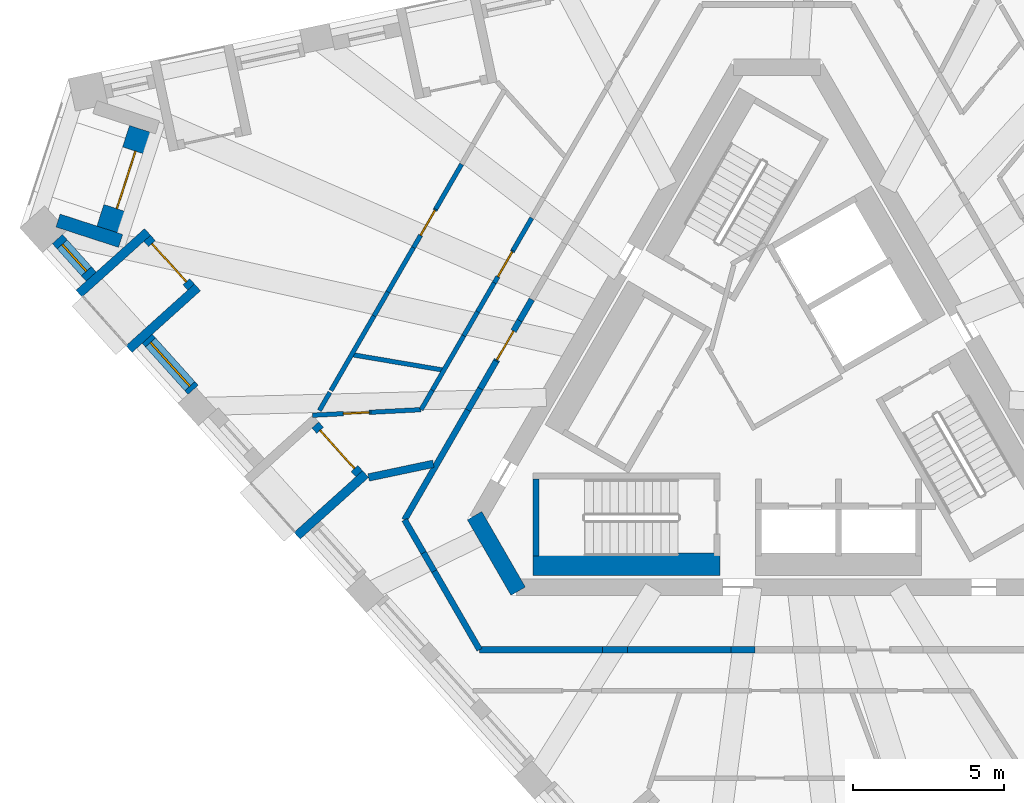
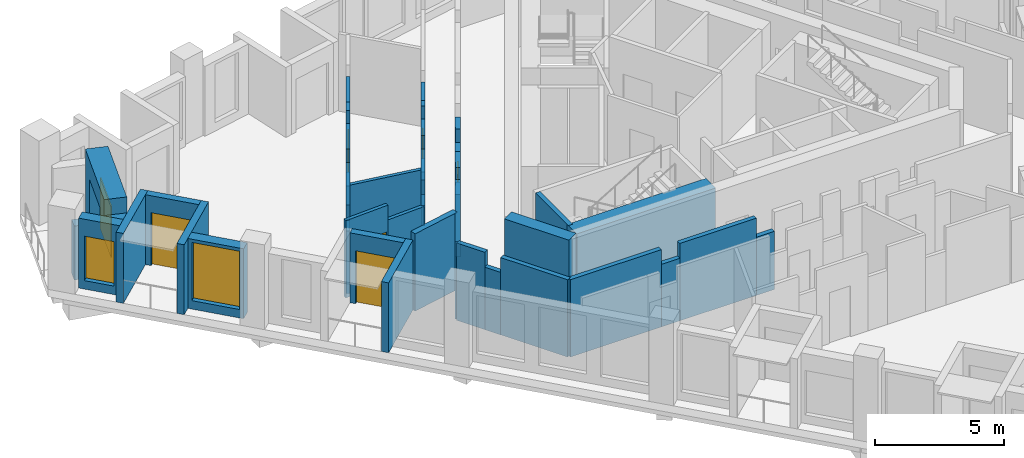
# One storey, part 3 of 12: 40 walls, 7 doors, 2 windows, 9 openings.
"""IFC4 building model written with IfcOpenShell, lengths in metres."""

from ifc_helpers import new_model, si_unit, direction, frame, frame_2d, origin, place, context, subcontext, project, spatial, polyline, rectangle, outline, extrude, material, layer, layer_set, type_object, element, fill, save


model = new_model("IFC4")

# Units and contexts
model_context = context("Model", 3, precision=1e-05, world=origin(), true_north=direction((0.0, 1.0)))
body_context = subcontext(model_context, "Body", "Model", "MODEL_VIEW")
ifc_project = project(units=[si_unit("LENGTHUNIT", "METRE"), si_unit("AREAUNIT", "SQUARE_METRE"), si_unit("VOLUMEUNIT", "CUBIC_METRE"), si_unit("PLANEANGLEUNIT", "RADIAN"), si_unit("MASSUNIT", "GRAM", prefix="KILO")], contexts=[model_context])

# Site, building, storey
site_placement = place(None, origin())
site = spatial("IfcSite", under=ifc_project, at=site_placement, CompositionType="ELEMENT")
building_placement = place(site_placement, origin())
building = spatial("IfcBuilding", under=site, at=building_placement, Name="Tramontana Tower", CompositionType="ELEMENT")
storey_placement = place(building_placement, frame((0.0, 0.0, 344.39990234375)))
storey = spatial("IfcBuildingStorey", under=building, at=storey_placement, Name="L79", CompositionType="ELEMENT", Elevation=344.39990234375)

# Walls
ifc_material_1 = material(Name="Concrete 70 MPa", Category="concrete")
ifc_layer_1 = layer(ifc_material_1, 0.550048828125)
ifc_layer_set_1 = layer_set([ifc_layer_1], Name="Core wall 550 70 MPa")
wall_type_1 = type_object("IfcWallType", Name="Core wall 550 70 MPa", PredefinedType="SHEAR", material=ifc_layer_set_1)
wall_1_placement = place(storey_placement, frame((-10.009765625, -4.112548828125, 0.0), z_axis=(0.0, 0.0, 1.0), x_axis=(0.499995765644, -0.866027848477, 0.0)))
element("IfcWall", 1, at=wall_1_placement, inside=storey, type_object=wall_type_1, Name="Core wall C2 L79", PredefinedType="SHEAR", context=body_context, shape_type="SweptSolid", body=[
    extrude(rectangle(XDim=2.88671875, YDim=0.550048828125, at=frame_2d((1.443359375, 0.0))), origin(), (0.0, 0.0, 1.0), 4.0),
])
ifc_material_2 = material(Name="Blockwork", Category="masonry")
ifc_layer_2 = layer(ifc_material_2, 0.199951171875)
ifc_layer_set_2 = layer_set([ifc_layer_2], Name="ENTRY WALL 200")
wall_type_2 = type_object("IfcWallType", Name="ENTRY WALL 200", PredefinedType="SOLIDWALL", material=ifc_layer_set_2)
wall_2_placement = place(storey_placement, frame((-0.7216796875, -8.550048828125, 0.0), z_axis=(0.0, 0.0, 1.0), x_axis=(-1.0, 0.0, 0.0)))
element("IfcWall", 2, at=wall_2_placement, inside=storey, type_object=wall_type_2, Name="Wall v82-ew1-7", PredefinedType="SOLIDWALL", context=body_context, shape_type="SweptSolid", body=[
    extrude(rectangle(XDim=0.806884765625, YDim=0.199951171875, at=frame_2d((0.4033203125, 0.0))), origin(), (0.0, 0.0, 1.0), 2.75),
])
wall_3_placement = place(storey_placement, frame((-1.528564453125, -8.550048828125, 0.0), z_axis=(0.0, 0.0, 1.0), x_axis=(-1.0, 0.0, 0.0)))
element("IfcWall", 3, at=wall_3_placement, inside=storey, type_object=wall_type_2, Name="Wall v82-ew1-8", PredefinedType="SOLIDWALL", context=body_context, shape_type="SweptSolid", body=[
    extrude(rectangle(XDim=3.423095703125, YDim=0.199951171875, at=frame_2d((1.71142578125, 0.0))), origin(), (0.0, 0.0, 1.0), 3.650146484375),
])
wall_4_placement = place(storey_placement, frame((-4.95166015625, -8.550048828125, 0.0), z_axis=(0.0, 0.0, 1.0), x_axis=(-1.0, 0.0, 0.0)))
element("IfcWall", 4, at=wall_4_placement, inside=storey, type_object=wall_type_2, Name="Wall v82-ew1-9", PredefinedType="SOLIDWALL", context=body_context, shape_type="SweptSolid", body=[
    extrude(rectangle(XDim=0.826416015625, YDim=0.199951171875, at=frame_2d((0.4130859375, 0.0))), origin(), (0.0, 0.0, 1.0), 2.9501953125),
])
wall_5_placement = place(storey_placement, frame((-5.778076171875, -8.550048828125, 0.0), z_axis=(0.0, 0.0, 1.0), x_axis=(-1.0, 0.0, 0.0)))
element("IfcWall", 5, at=wall_5_placement, inside=storey, type_object=wall_type_2, Name="Wall v82-ew1-10", PredefinedType="SOLIDWALL", context=body_context, shape_type="SweptSolid", body=[
    extrude(rectangle(XDim=4.065673828125, YDim=0.199951171875, at=frame_2d((2.03271484375, 0.0))), origin(), (0.0, 0.0, 1.0), 3.650146484375),
])
wall_6_placement = place(storey_placement, frame((-9.84375, -8.550048828125, 0.0), z_axis=(0.0, 0.0, 1.0), x_axis=(-0.500003959331, 0.866023117852, 0.0)))
element("IfcWall", 6, at=wall_6_placement, inside=storey, type_object=wall_type_2, Name="Wall v82-ew2-0", PredefinedType="SOLIDWALL", context=body_context, shape_type="SweptSolid", body=[
    extrude(rectangle(XDim=3.0029296875, YDim=0.199951171875, at=frame_2d((1.50146484375, 0.0))), origin(), (0.0, 0.0, 1.0), 3.650146484375),
])
wall_7_placement = place(storey_placement, frame((-11.34521484375, -5.949462890625, 0.0), z_axis=(0.0, 0.0, 1.0), x_axis=(-0.499993523031, 0.866029143232, 0.0)))
element("IfcWall", 7, at=wall_7_placement, inside=storey, type_object=wall_type_2, Name="Wall v82-ew2-1", PredefinedType="SOLIDWALL", context=body_context, shape_type="SweptSolid", body=[
    extrude(rectangle(XDim=0.70166015625, YDim=0.199951171875, at=frame_2d((0.350830078125, 0.0))), origin(), (0.0, 0.0, 1.0), 2.9501953125),
])
wall_8_placement = place(storey_placement, frame((-11.696044921875, -5.341796875, 0.0), z_axis=(0.0, 0.0, 1.0), x_axis=(-0.500013012896, 0.866017890655, 0.0)))
element("IfcWall", 8, at=wall_8_placement, inside=storey, type_object=wall_type_2, Name="Wall v82-ew2-2", PredefinedType="SOLIDWALL", context=body_context, shape_type="SweptSolid", body=[
    extrude(rectangle(XDim=1.2607421875, YDim=0.199951171875, at=frame_2d((0.63037109375, 0.0))), origin(), (0.0, 0.0, 1.0), 3.650146484375),
])
wall_9_placement = place(storey_placement, frame((-12.326416015625, -4.25, 0.0), z_axis=(0.0, 0.0, 1.0), x_axis=(0.499982771656, 0.866035350345, 0.0)))
element("IfcWall", 9, at=wall_9_placement, inside=storey, type_object=wall_type_2, Name="Wall v82-ew3-0", PredefinedType="SOLIDWALL", context=body_context, shape_type="SweptSolid", body=[
    extrude(rectangle(XDim=4.194580078125, YDim=0.199951171875, at=frame_2d((2.09716796875, 0.0))), origin(), (0.0, 0.0, 1.0), 3.650146484375),
])
wall_10_placement = place(storey_placement, frame((-10.229248046875, -0.617431640625, 0.0), z_axis=(0.0, 0.0, 1.0), x_axis=(0.5001686003, 0.865928040471, 0.0)))
element("IfcWall", 10, at=wall_10_placement, inside=storey, type_object=wall_type_2, Name="Wall v82-ew3-1", PredefinedType="SOLIDWALL", context=body_context, shape_type="SweptSolid", body=[
    extrude(rectangle(XDim=0.821044921875, YDim=0.199951171875, at=frame_2d((0.41064453125, 0.0))), origin(), (0.0, 0.0, 1.0), 2.9501953125),
])
wall_11_placement = place(storey_placement, frame((-9.818603515625, 0.093505859375, 0.0), z_axis=(0.0, 0.0, 1.0), x_axis=(0.499890179513, 0.866088799389, 0.0)))
element("IfcWall", 11, at=wall_11_placement, inside=storey, type_object=wall_type_2, Name="Wall v82-ew3-2", PredefinedType="SOLIDWALL", context=body_context, shape_type="SweptSolid", body=[
    extrude(rectangle(XDim=1.050048828125, YDim=0.199951171875, at=frame_2d((0.52490234375, 0.0))), origin(), (0.0, 0.0, 1.0), 3.650146484375),
])

# Wall, opening, door
wall_12_placement = place(storey_placement, frame((-9.293701171875, 1.0029296875, 0.0), z_axis=(0.0, 0.0, 1.0), x_axis=(0.500054401891, 0.86599399256, 0.0)))
wall_12 = element("IfcWall", 12, at=wall_12_placement, inside=storey, type_object=wall_type_2, Name="Wall v82-ew3-3", PredefinedType="SOLIDWALL", context=body_context, shape_type="SweptSolid", body=[
    extrude(outline(polyline([(0.0, 0.0), (1.549072265625, 0.0), (1.549072265625, 2.550048828125), (0.605224609375, 2.550048828125), (0.605224609375, 3.650146484375), (0.0, 3.650146484375), (0.0, 0.0)])), frame((0.0, 0.10009765625, 0.0), z_axis=(0.0, -1.0, 0.0), x_axis=(1.0, 0.0, 0.0)), (0.0, 0.0, 1.0), 0.199951171875),
])
opening_1_placement = place(wall_12_placement, frame((0.050048828125, 0.0, 0.0)))
opening_1 = element("IfcOpeningElement", 13, at=opening_1_placement, cuts=wall_12, Name="Opening B8C-15", PredefinedType="OPENING", context=body_context, shape_type="SweptSolid", body=[
    extrude(rectangle(XDim=1.10009765625, YDim=2.39990234375, at=frame_2d((0.550048828125, 1.199951171875))), frame((0.0, 0.10986328125, 0.0), z_axis=(0.0, -1.0, 0.0), x_axis=(1.0, 0.0, 0.0)), (0.0, 0.0, 1.0), 0.219970703125),
])
ifc_material_3 = material(Name="Painted timber", Category="wood")
door_type_1 = type_object("IfcDoorType", Name="DOOR ENTRY 1100", OperationType="SINGLE_SWING_LEFT", PredefinedType="DOOR", material=ifc_material_3)
door_1_placement = place(opening_1_placement, origin())
door_1 = element("IfcDoor", 14, at=door_1_placement, inside=storey, type_object=door_type_1, Name="Door B8C-15", OperationType="SINGLE_SWING_LEFT", OverallHeight=2.39990234375, OverallWidth=1.10009765625, PredefinedType="DOOR", context=body_context, shape_type="SweptSolid", body=[
    extrude(rectangle(XDim=1.10009765625, YDim=2.39990234375, at=frame_2d((0.550048828125, 1.199951171875))), frame((0.0, 0.02490234375, 0.0), z_axis=(0.0, -1.0, 0.0), x_axis=(1.0, 0.0, 0.0)), (0.0, 0.0, 1.0), 0.050048828125),
])
fill(opening_1, door_1)

# Wall
wall_13_placement = place(storey_placement, frame((-8.51904296875, 2.344482421875, 0.0), z_axis=(0.0, 0.0, 1.0), x_axis=(0.499914554297, 0.866074730264, 0.0)))
element("IfcWall", 15, at=wall_13_placement, inside=storey, type_object=wall_type_2, Name="Wall v82-ew3-4", PredefinedType="SOLIDWALL", context=body_context, shape_type="SweptSolid", body=[
    extrude(rectangle(XDim=0.806884765625, YDim=0.199951171875, at=frame_2d((0.4033203125, 0.0))), origin(), (0.0, 0.0, 1.0), 3.650146484375),
])

# Wall, opening, window
ifc_material_4 = material(Name="Precast concrete 60 MPa", Category="concrete")
ifc_layer_3 = layer(ifc_material_4, 0.449951171875)
ifc_layer_set_3 = layer_set([ifc_layer_3], Name="Precast concrete 60 MPa, 450 mm")
wall_type_3 = type_object("IfcWallType", Name="EW1 Stone-faced precast wall 450", PredefinedType="SOLIDWALL", material=ifc_layer_set_3)
wall_14_placement = place(storey_placement, frame((-23.817138671875, 5.043212890625, 0.0), z_axis=(0.0, 0.0, 1.0), x_axis=(0.669182609054, -0.743097998746, 0.0)))
wall_14 = element("IfcWall", 16, at=wall_14_placement, inside=storey, type_object=wall_type_3, Name="External wall L79 face 0 bay 1", PredefinedType="SOLIDWALL", context=body_context, shape_type="SweptSolid", body=[
    extrude(rectangle(XDim=1.67138671875, YDim=0.449951171875, at=frame_2d((0.835693359375, 0.0))), origin(), (0.0, 0.0, 1.0), 3.300048828125),
])
opening_2_placement = place(wall_14_placement, frame((0.235595703125, 0.0, 0.39990234375)))
opening_2 = element("IfcOpeningElement", 17, at=opening_2_placement, cuts=wall_14, Name="Opening N3L", PredefinedType="OPENING", context=body_context, shape_type="SweptSolid", body=[
    extrude(rectangle(XDim=1.199951171875, YDim=2.10009765625, at=frame_2d((0.60009765625, 1.050048828125))), frame((0.0, 0.23486328125, 0.0), z_axis=(0.0, -1.0, 0.0), x_axis=(1.0, 0.0, 0.0)), (0.0, 0.0, 1.0), 0.469970703125),
])
ifc_material_5 = material(Name="Aluminum frame, double glazing unit", Category="aluminium")
window_type_1 = type_object("IfcWindowType", Name="N3L Window 1.2 x 2.1", PartitioningType="SINGLE_PANEL", PredefinedType="WINDOW", material=ifc_material_5)
window_1_placement = place(opening_2_placement, origin())
window_1 = element("IfcWindow", 18, at=window_1_placement, inside=storey, type_object=window_type_1, Name="Window N3L L79 face 0 module 1", OverallHeight=2.10009765625, OverallWidth=1.199951171875, PartitioningType="SINGLE_PANEL", PredefinedType="WINDOW", context=body_context, shape_type="SweptSolid", body=[
    extrude(rectangle(XDim=1.199951171875, YDim=2.10009765625, at=frame_2d((0.60009765625, 1.050048828125))), frame((0.0, 0.030029296875, 0.0), z_axis=(0.0, -1.0, 0.0), x_axis=(1.0, 0.0, 0.0)), (0.0, 0.0, 1.0), 0.06005859375),
])
fill(opening_2, window_1)

wall_15_placement = place(storey_placement, frame((-20.844482421875, 1.74169921875, 0.0), z_axis=(0.0, 0.0, 1.0), x_axis=(0.669160694992, -0.743117732447, 0.0)))
wall_15 = element("IfcWall", 19, at=wall_15_placement, inside=storey, type_object=wall_type_3, Name="External wall L79 face 0 bay 1", PredefinedType="SOLIDWALL", context=body_context, shape_type="SweptSolid", body=[
    extrude(rectangle(XDim=2.271240234375, YDim=0.449951171875, at=frame_2d((1.1357421875, 0.0))), origin(), (0.0, 0.0, 1.0), 3.300048828125),
])
opening_3_placement = place(wall_15_placement, frame((0.16064453125, 0.0, 0.39990234375)))
opening_3 = element("IfcOpeningElement", 20, at=opening_3_placement, cuts=wall_15, Name="Opening M3", PredefinedType="OPENING", context=body_context, shape_type="SweptSolid", body=[
    extrude(rectangle(XDim=1.949951171875, YDim=2.75, at=frame_2d((0.97509765625, 1.375))), frame((0.0, 0.23486328125, 0.0), z_axis=(0.0, -1.0, 0.0), x_axis=(1.0, 0.0, 0.0)), (0.0, 0.0, 1.0), 0.469970703125),
])
ifc_material_6 = material(Name="Aluminum frame, double glazing unit", Category="aluminium")
window_type_2 = type_object("IfcWindowType", Name="M3 Window 1.95 x 2.75", PartitioningType="SINGLE_PANEL", PredefinedType="WINDOW", material=ifc_material_6)
window_2_placement = place(opening_3_placement, origin())
window_2 = element("IfcWindow", 21, at=window_2_placement, inside=storey, type_object=window_type_2, Name="Window M3 L79 face 0 module 3", OverallHeight=2.75, OverallWidth=1.949951171875, PartitioningType="SINGLE_PANEL", PredefinedType="WINDOW", context=body_context, shape_type="SweptSolid", body=[
    extrude(rectangle(XDim=1.949951171875, YDim=2.75, at=frame_2d((0.97509765625, 1.375))), frame((0.0, 0.030029296875, 0.0), z_axis=(0.0, -1.0, 0.0), x_axis=(1.0, 0.0, 0.0)), (0.0, 0.0, 1.0), 0.06005859375),
])
fill(opening_3, window_2)

# Wall
wall_16_placement = place(storey_placement, frame((-23.79638671875, 5.6552734375, 0.0), z_axis=(0.0, 0.0, 1.0), x_axis=(0.951064526973, -0.308992338955, 0.0)))
element("IfcWall", 22, at=wall_16_placement, inside=storey, type_object=wall_type_3, Name="Corner loggia side wall L79 K80l", PredefinedType="SOLIDWALL", context=body_context, shape_type="SweptSolid", body=[
    extrude(rectangle(XDim=2.17919921875, YDim=0.449951171875, at=frame_2d((1.089599609375, 0.0))), origin(), (0.0, 0.0, 1.0), 2.550048828125),
])

# Wall, opening, door
ifc_material_7 = material(Name="Precast concrete 60 MPa", Category="concrete")
ifc_layer_4 = layer(ifc_material_7, 0.89990234375)
ifc_layer_set_4 = layer_set([ifc_layer_4], Name="EW2 Stone-faced corner loggia wall 900")
wall_type_4 = type_object("IfcWallType", Name="EW2 Stone-faced corner loggia wall 900", PredefinedType="SOLIDWALL", material=ifc_layer_set_4)
wall_17_placement = place(storey_placement, frame((-22.082275390625, 5.3349609375, 0.0), z_axis=(0.0, 0.0, 1.0), x_axis=(0.309019824916, 0.951055596592, 0.0)))
wall_17 = element("IfcWall", 23, at=wall_17_placement, inside=storey, type_object=wall_type_4, Name="Corner loggia wall L79 K80", PredefinedType="SOLIDWALL", context=body_context, shape_type="SweptSolid", body=[
    extrude(rectangle(XDim=3.5, YDim=0.89990234375, at=frame_2d((1.75, 0.0))), origin(), (0.0, 0.0, 1.0), 3.300048828125),
])
opening_4_placement = place(wall_17_placement, frame((0.75, 0.0, 0.0)))
opening_4 = element("IfcOpeningElement", 24, at=opening_4_placement, cuts=wall_17, Name="Opening BD-80C", PredefinedType="OPENING", context=body_context, shape_type="SweptSolid", body=[
    extrude(rectangle(XDim=2.0, YDim=2.39990234375, at=frame_2d((1.0, 1.199951171875))), frame((0.0, 0.4599609375, 0.0), z_axis=(0.0, -1.0, 0.0), x_axis=(1.0, 0.0, 0.0)), (0.0, 0.0, 1.0), 0.919921875),
])
ifc_material_8 = material(Name="Aluminum frame, double glazing unit", Category="aluminium")
door_type_2 = type_object("IfcDoorType", Name="BC1 Sliding door 2 x 2.4", OperationType="SLIDING_TO_LEFT", PredefinedType="DOOR", material=ifc_material_8)
door_2_placement = place(opening_4_placement, origin())
door_2 = element("IfcDoor", 25, at=door_2_placement, inside=storey, type_object=door_type_2, Name="Corner loggia door L79 K80", OperationType="SLIDING_TO_LEFT", OverallHeight=2.39990234375, OverallWidth=2.0, PredefinedType="DOOR", context=body_context, shape_type="SweptSolid", body=[
    extrude(rectangle(XDim=2.0, YDim=2.39990234375, at=frame_2d((1.0, 1.199951171875))), frame((0.0, 0.02490234375, 0.0), z_axis=(0.0, -1.0, 0.0), x_axis=(1.0, 0.0, 0.0)), (0.0, 0.0, 1.0), 0.050048828125),
])
fill(opening_4, door_2)

ifc_material_9 = material(Name="Precast concrete 60 MPa", Category="concrete")
ifc_layer_5 = layer(ifc_material_9, 0.300048828125)
ifc_layer_set_5 = layer_set([ifc_layer_5], Name="LW1 Stone-faced loggia wall 300")
wall_type_5 = type_object("IfcWallType", Name="LW1 Stone-faced loggia wall 300", PredefinedType="SOLIDWALL", material=ifc_layer_set_5)
wall_18_placement = place(storey_placement, frame((-20.844482421875, 5.067138671875, 0.0), z_axis=(0.0, 0.0, 1.0), x_axis=(0.669144868344, -0.743131983681, 0.0)))
wall_18 = element("IfcWall", 26, at=wall_18_placement, inside=storey, type_object=wall_type_5, Name="Loggia wall L79 G8S0.1", PredefinedType="SOLIDWALL", context=body_context, shape_type="SweptSolid", body=[
    extrude(rectangle(XDim=2.171142578125, YDim=0.300048828125, at=frame_2d((1.08544921875, 0.0))), origin(), (0.0, 0.0, 1.0), 3.300048828125),
])
opening_5_placement = place(wall_18_placement, frame((0.235595703125, 0.0, 0.0)))
opening_5 = element("IfcOpeningElement", 27, at=opening_5_placement, cuts=wall_18, Name="Opening BD-8S0-01", PredefinedType="OPENING", context=body_context, shape_type="SweptSolid", body=[
    extrude(rectangle(XDim=1.699951171875, YDim=2.5, at=frame_2d((0.85009765625, 1.25))), frame((0.0, 0.159912109375, 0.0), z_axis=(0.0, -1.0, 0.0), x_axis=(1.0, 0.0, 0.0)), (0.0, 0.0, 1.0), 0.320068359375),
])
ifc_material_10 = material(Name="Aluminum frame, double glazing unit", Category="aluminium")
door_type_3 = type_object("IfcDoorType", Name="BD3 Sliding door 1.7 x 2.5", OperationType="SLIDING_TO_LEFT", PredefinedType="DOOR", material=ifc_material_10)
door_3_placement = place(opening_5_placement, origin())
door_3 = element("IfcDoor", 28, at=door_3_placement, inside=storey, type_object=door_type_3, Name="Loggia door L79 G8S0.1", OperationType="SLIDING_TO_LEFT", OverallHeight=2.5, OverallWidth=1.699951171875, PredefinedType="DOOR", context=body_context, shape_type="SweptSolid", body=[
    extrude(rectangle(XDim=1.699951171875, YDim=2.5, at=frame_2d((0.85009765625, 1.25))), frame((0.0, 0.02490234375, 0.0), z_axis=(0.0, -1.0, 0.0), x_axis=(1.0, 0.0, 0.0)), (0.0, 0.0, 1.0), 0.050048828125),
])
fill(opening_5, door_3)

# Walls
for number, where, z_axis, x_axis, name in (
    (29, (-23.10009765625, 3.238037109375, 0.0), (0.0, 0.0, 1.0), (0.743158802514, 0.669115082961, 0.0), "Loggia return L79 G8S0.1a"),
    (30, (-21.446533203125, 1.401611328125, 0.0), (0.0, 0.0, 1.0), (0.743158802514, 0.669115082961, 0.0), "Loggia return L79 G8S0.1b"),
):
    element("IfcWall", number, at=place(storey_placement, frame(where, z_axis=z_axis, x_axis=x_axis)), inside=storey, type_object=wall_type_5, Name=name, PredefinedType="SOLIDWALL", context=body_context, shape_type="SweptSolid", body=[
        extrude(rectangle(XDim=3.050048828125, YDim=0.300048828125, at=frame_2d((1.52490234375, 0.0))), origin(), (0.0, 0.0, 1.0), 3.300048828125),
    ])

# Wall, opening, door
wall_19_placement = place(storey_placement, frame((-15.281494140625, -1.111328125, 0.0), z_axis=(0.0, 0.0, 1.0), x_axis=(0.669144868344, -0.743131983681, 0.0)))
wall_19 = element("IfcWall", 31, at=wall_19_placement, inside=storey, type_object=wall_type_5, Name="Loggia wall L79 G8S0.4", PredefinedType="SOLIDWALL", context=body_context, shape_type="SweptSolid", body=[
    extrude(rectangle(XDim=2.171142578125, YDim=0.300048828125, at=frame_2d((1.08544921875, 0.0))), origin(), (0.0, 0.0, 1.0), 3.300048828125),
])
opening_6_placement = place(wall_19_placement, frame((0.235595703125, 0.0, 0.0)))
opening_6 = element("IfcOpeningElement", 32, at=opening_6_placement, cuts=wall_19, Name="Opening BD-8S0-04", PredefinedType="OPENING", context=body_context, shape_type="SweptSolid", body=[
    extrude(rectangle(XDim=1.699951171875, YDim=2.5, at=frame_2d((0.85009765625, 1.25))), frame((0.0, 0.159912109375, 0.0), z_axis=(0.0, -1.0, 0.0), x_axis=(1.0, 0.0, 0.0)), (0.0, 0.0, 1.0), 0.320068359375),
])
door_4_placement = place(opening_6_placement, origin())
door_4 = element("IfcDoor", 33, at=door_4_placement, inside=storey, type_object=door_type_3, Name="Loggia door L79 G8S0.4", OperationType="SLIDING_TO_LEFT", OverallHeight=2.5, OverallWidth=1.699951171875, PredefinedType="DOOR", context=body_context, shape_type="SweptSolid", body=[
    extrude(rectangle(XDim=1.699951171875, YDim=2.5, at=frame_2d((0.85009765625, 1.25))), frame((0.0, 0.02490234375, 0.0), z_axis=(0.0, -1.0, 0.0), x_axis=(1.0, 0.0, 0.0)), (0.0, 0.0, 1.0), 0.050048828125),
])
fill(opening_6, door_4)

# Wall
wall_20_placement = place(storey_placement, frame((-15.88330078125, -4.77685546875, 0.0), z_axis=(0.0, 0.0, 1.0), x_axis=(0.743122960955, 0.669154888573, 0.0)))
element("IfcWall", 34, at=wall_20_placement, inside=storey, type_object=wall_type_5, Name="Loggia return L79 G8S0.4b", PredefinedType="SOLIDWALL", context=body_context, shape_type="SweptSolid", body=[
    extrude(rectangle(XDim=3.0498046875, YDim=0.300048828125, at=frame_2d((1.52490234375, 0.0))), origin(), (0.0, 0.0, 1.0), 3.300048828125),
])

# Wall, opening, door
ifc_material_11 = material(Name="Gypsum board partition")
ifc_layer_6 = layer(ifc_material_11, 0.14990234375)
ifc_layer_set_6 = layer_set([ifc_layer_6], Name="PARTITION 150")
wall_type_6 = type_object("IfcWallType", Name="PARTITION 150", PredefinedType="PARTITIONING", material=ifc_layer_set_6)
wall_21_placement = place(storey_placement, frame((-15.370849609375, -0.7880859375, 0.0), z_axis=(0.0, 0.0, 1.0), x_axis=(0.998683196323, 0.051301787316, 0.0)))
wall_21 = element("IfcWall", 35, at=wall_21_placement, inside=storey, type_object=wall_type_6, Name="Wall v82-pw00-0", PredefinedType="PARTITIONING", context=body_context, shape_type="SweptSolid", body=[
    extrude(rectangle(XDim=1.936767578125, YDim=0.14990234375, at=frame_2d((0.96826171875, 0.0))), origin(), (0.0, 0.0, 1.0), 3.650146484375),
])
opening_7_placement = place(wall_21_placement, frame((1.0205078125, 0.0, 0.0)))
opening_7 = element("IfcOpeningElement", 36, at=opening_7_placement, cuts=wall_21, Name="Opening B8C-02", PredefinedType="OPENING", context=body_context, shape_type="SweptSolid", body=[
    extrude(rectangle(XDim=0.85009765625, YDim=2.39990234375, at=frame_2d((0.425048828125, 1.199951171875))), frame((0.0, 0.0849609375, 0.0), z_axis=(0.0, -1.0, 0.0), x_axis=(1.0, 0.0, 0.0)), (0.0, 0.0, 1.0), 0.169921875),
])
ifc_material_12 = material(Name="Painted timber", Category="wood")
door_type_4 = type_object("IfcDoorType", Name="DOOR BATH 850", OperationType="SINGLE_SWING_LEFT", PredefinedType="DOOR", material=ifc_material_12)
door_5_placement = place(opening_7_placement, origin())
door_5 = element("IfcDoor", 37, at=door_5_placement, inside=storey, type_object=door_type_4, Name="Door B8C-02", OperationType="SINGLE_SWING_RIGHT", OverallHeight=2.39990234375, OverallWidth=0.85009765625, PredefinedType="DOOR", context=body_context, shape_type="SweptSolid", body=[
    extrude(rectangle(XDim=0.85009765625, YDim=2.39990234375, at=frame_2d((0.425048828125, 1.199951171875))), frame((0.0, 0.02490234375, 0.0), z_axis=(0.0, -1.0, 0.0), x_axis=(1.0, 0.0, 0.0)), (0.0, 0.0, 1.0), 0.050048828125),
])
fill(opening_7, door_5)

# Walls
wall_22_placement = place(storey_placement, frame((-13.4365234375, -0.688720703125, 0.0), z_axis=(0.0, 0.0, 1.0), x_axis=(0.99869287416, 0.05111304238, 0.0)))
element("IfcWall", 38, at=wall_22_placement, inside=storey, type_object=wall_type_6, Name="Wall v82-pw00-1", PredefinedType="PARTITIONING", context=body_context, shape_type="SweptSolid", body=[
    extrude(rectangle(XDim=1.657470703125, YDim=0.14990234375, at=frame_2d((0.82861328125, 0.0))), origin(), (0.0, 0.0, 1.0), 2.9501953125),
])
wall_23_placement = place(storey_placement, frame((-15.14453125, -0.631103515625, 0.0), z_axis=(0.0, 0.0, 1.0), x_axis=(0.499966449638, 0.866044773228, 0.0)))
element("IfcWall", 39, at=wall_23_placement, inside=storey, type_object=wall_type_6, Name="Wall v82-pw01-0", PredefinedType="PARTITIONING", context=body_context, shape_type="SweptSolid", body=[
    extrude(rectangle(XDim=0.69287109375, YDim=0.14990234375, at=frame_2d((0.346435546875, 0.0))), origin(), (0.0, 0.0, 1.0), 2.9501953125),
])
wall_24_placement = place(storey_placement, frame((-14.76318359375, 0.029541015625, 0.0), z_axis=(0.0, 0.0, 1.0), x_axis=(0.500003887042, 0.866023159588, 0.0)))
element("IfcWall", 40, at=wall_24_placement, inside=storey, type_object=wall_type_6, Name="Wall v82-pw02-0", PredefinedType="PARTITIONING", context=body_context, shape_type="SweptSolid", body=[
    extrude(rectangle(XDim=2.853515625, YDim=0.14990234375, at=frame_2d((1.4267578125, 0.0))), origin(), (0.0, 0.0, 1.0), 3.650146484375),
])
wall_25_placement = place(storey_placement, frame((-13.33642578125, 2.500732421875, 0.0), z_axis=(0.0, 0.0, 1.0), x_axis=(0.500144624036, 0.865941888956, 0.0)))
element("IfcWall", 41, at=wall_25_placement, inside=storey, type_object=wall_type_6, Name="Wall v82-pw02-1", PredefinedType="PARTITIONING", context=body_context, shape_type="SweptSolid", body=[
    extrude(rectangle(XDim=0.917724609375, YDim=0.14990234375, at=frame_2d((0.458984375, 0.0))), origin(), (0.0, 0.0, 1.0), 2.550048828125),
])
wall_26_placement = place(storey_placement, frame((-12.87744140625, 3.29541015625, 0.0), z_axis=(0.0, 0.0, 1.0), x_axis=(0.499876388284, 0.86609675928, 0.0)))
element("IfcWall", 42, at=wall_26_placement, inside=storey, type_object=wall_type_6, Name="Wall v82-pw02-2", PredefinedType="PARTITIONING", context=body_context, shape_type="SweptSolid", body=[
    extrude(rectangle(XDim=1.693359375, YDim=0.14990234375, at=frame_2d((0.8466796875, 0.0))), origin(), (0.0, 0.0, 1.0), 3.650146484375),
])

# Wall, opening, door
wall_27_placement = place(storey_placement, frame((-12.031005859375, 4.761962890625, 0.0), z_axis=(0.0, 0.0, 1.0), x_axis=(0.50006736263, 0.865986508459, 0.0)))
wall_27 = element("IfcWall", 43, at=wall_27_placement, inside=storey, type_object=wall_type_6, Name="Wall v82-pw02-3", PredefinedType="PARTITIONING", context=body_context, shape_type="SweptSolid", body=[
    extrude(outline(polyline([(0.0, 0.0), (1.470458984375, 0.0), (1.470703125, 3.650146484375), (0.880615234375, 3.650146484375), (0.880615234375, 2.550048828125), (0.0, 2.550048828125), (0.0, 0.0)])), frame((0.0, 0.074951171875, 0.0), z_axis=(0.0, -1.0, 0.0), x_axis=(1.0, 0.0, 0.0)), (0.0, 0.0, 1.0), 0.14990234375),
])
opening_8_placement = place(wall_27_placement, frame((0.470703125, 0.0, 0.0)))
opening_8 = element("IfcOpeningElement", 44, at=opening_8_placement, cuts=wall_27, Name="Opening B8C-12", PredefinedType="OPENING", context=body_context, shape_type="SweptSolid", body=[
    extrude(rectangle(XDim=0.949951171875, YDim=2.39990234375, at=frame_2d((0.47509765625, 1.199951171875))), frame((0.0, 0.0849609375, 0.0), z_axis=(0.0, -1.0, 0.0), x_axis=(1.0, 0.0, 0.0)), (0.0, 0.0, 1.0), 0.169921875),
])
ifc_material_13 = material(Name="Painted timber", Category="wood")
door_type_5 = type_object("IfcDoorType", Name="DOOR ROOM 950", OperationType="SINGLE_SWING_LEFT", PredefinedType="DOOR", material=ifc_material_13)
door_6_placement = place(opening_8_placement, origin())
door_6 = element("IfcDoor", 45, at=door_6_placement, inside=storey, type_object=door_type_5, Name="Door B8C-12", OperationType="SINGLE_SWING_RIGHT", OverallHeight=2.39990234375, OverallWidth=0.949951171875, PredefinedType="DOOR", context=body_context, shape_type="SweptSolid", body=[
    extrude(rectangle(XDim=0.949951171875, YDim=2.39990234375, at=frame_2d((0.47509765625, 1.199951171875))), frame((0.0, 0.02490234375, 0.0), z_axis=(0.0, -1.0, 0.0), x_axis=(1.0, 0.0, 0.0)), (0.0, 0.0, 1.0), 0.050048828125),
])
fill(opening_8, door_6)

# Walls
wall_28_placement = place(storey_placement, frame((-11.295654296875, 6.035400390625, 0.0), z_axis=(0.0, 0.0, 1.0), x_axis=(0.500059337743, 0.865991142412, 0.0)))
element("IfcWall", 46, at=wall_28_placement, inside=storey, type_object=wall_type_6, Name="Wall v82-pw02-4", PredefinedType="PARTITIONING", context=body_context, shape_type="SweptSolid", body=[
    extrude(rectangle(XDim=1.714599609375, YDim=0.14990234375, at=frame_2d((0.857421875, 0.0))), origin(), (0.0, 0.0, 1.0), 3.650146484375),
])
wall_29_placement = place(storey_placement, frame((-11.779541015625, -0.60302734375, 0.0), z_axis=(0.0, 0.0, 1.0), x_axis=(0.49999788721, 0.866026623601, 0.0)))
element("IfcWall", 47, at=wall_29_placement, inside=storey, type_object=wall_type_6, Name="Wall v82-pw03-0", PredefinedType="PARTITIONING", context=body_context, shape_type="SweptSolid", body=[
    extrude(rectangle(XDim=0.74169921875, YDim=0.14990234375, at=frame_2d((0.370849609375, 0.0))), origin(), (0.0, 0.0, 1.0), 2.9501953125),
])
wall_30_placement = place(storey_placement, frame((-11.40869140625, 0.039306640625, 0.0), z_axis=(0.0, 0.0, 1.0), x_axis=(0.499969202016, 0.866043184279, 0.0)))
element("IfcWall", 48, at=wall_30_placement, inside=storey, type_object=wall_type_6, Name="Wall v82-pw03-1", PredefinedType="PARTITIONING", context=body_context, shape_type="SweptSolid", body=[
    extrude(rectangle(XDim=2.084228515625, YDim=0.14990234375, at=frame_2d((1.0419921875, 0.0))), origin(), (0.0, 0.0, 1.0), 3.650146484375),
])
wall_31_placement = place(storey_placement, frame((-10.36669921875, 1.84423828125, 0.0), z_axis=(0.0, 0.0, 1.0), x_axis=(0.499945096919, 0.866057099772, 0.0)))
element("IfcWall", 49, at=wall_31_placement, inside=storey, type_object=wall_type_6, Name="Wall v82-pw03-2", PredefinedType="PARTITIONING", context=body_context, shape_type="SweptSolid", body=[
    extrude(rectangle(XDim=0.91748046875, YDim=0.14990234375, at=frame_2d((0.458740234375, 0.0))), origin(), (0.0, 0.0, 1.0), 2.550048828125),
])
wall_32_placement = place(storey_placement, frame((-9.907958984375, 2.638916015625, 0.0), z_axis=(0.0, 0.0, 1.0), x_axis=(0.500009088543, 0.866020156448, 0.0)))
element("IfcWall", 50, at=wall_32_placement, inside=storey, type_object=wall_type_6, Name="Wall v82-pw03-3", PredefinedType="PARTITIONING", context=body_context, shape_type="SweptSolid", body=[
    extrude(rectangle(XDim=1.10595703125, YDim=0.14990234375, at=frame_2d((0.552978515625, 0.0))), origin(), (0.0, 0.0, 1.0), 3.650146484375),
])

# Wall, opening, door
wall_33_placement = place(storey_placement, frame((-9.35498046875, 3.5966796875, 0.0), z_axis=(0.0, 0.0, 1.0), x_axis=(0.499990780478, 0.866030726613, 0.0)))
wall_33 = element("IfcWall", 51, at=wall_33_placement, inside=storey, type_object=wall_type_6, Name="Wall v82-pw03-4", PredefinedType="PARTITIONING", context=body_context, shape_type="SweptSolid", body=[
    extrude(outline(polyline([(0.0, 0.0), (1.23388671875, 0.0), (1.23388671875, 3.650146484375), (0.880615234375, 3.650146484375), (0.880615234375, 2.550048828125), (0.0, 2.550048828125), (0.0, 0.0)])), frame((0.0, 0.074951171875, 0.0), z_axis=(0.0, -1.0, 0.0), x_axis=(1.0, 0.0, 0.0)), (0.0, 0.0, 1.0), 0.14990234375),
])
opening_9_placement = place(wall_33_placement, frame((0.23388671875, 0.0, 0.0)))
opening_9 = element("IfcOpeningElement", 52, at=opening_9_placement, cuts=wall_33, Name="Opening B8C-01", PredefinedType="OPENING", context=body_context, shape_type="SweptSolid", body=[
    extrude(rectangle(XDim=0.949951171875, YDim=2.39990234375, at=frame_2d((0.47509765625, 1.199951171875))), frame((0.0, 0.0849609375, 0.0), z_axis=(0.0, -1.0, 0.0), x_axis=(1.0, 0.0, 0.0)), (0.0, 0.0, 1.0), 0.169921875),
])
door_7_placement = place(opening_9_placement, origin())
door_7 = element("IfcDoor", 53, at=door_7_placement, inside=storey, type_object=door_type_5, Name="Door B8C-01", OperationType="SINGLE_SWING_LEFT", OverallHeight=2.39990234375, OverallWidth=0.949951171875, PredefinedType="DOOR", context=body_context, shape_type="SweptSolid", body=[
    extrude(rectangle(XDim=0.949951171875, YDim=2.39990234375, at=frame_2d((0.47509765625, 1.199951171875))), frame((0.0, 0.02490234375, 0.0), z_axis=(0.0, -1.0, 0.0), x_axis=(1.0, 0.0, 0.0)), (0.0, 0.0, 1.0), 0.050048828125),
])
fill(opening_9, door_7)

# Walls
wall_34_placement = place(storey_placement, frame((-8.738037109375, 4.665283203125, 0.0), z_axis=(0.0, 0.0, 1.0), x_axis=(0.500012022864, 0.866018462269, 0.0)))
element("IfcWall", 54, at=wall_34_placement, inside=storey, type_object=wall_type_6, Name="Wall v82-pw03-5", PredefinedType="PARTITIONING", context=body_context, shape_type="SweptSolid", body=[
    extrude(rectangle(XDim=1.24072265625, YDim=0.14990234375, at=frame_2d((0.620361328125, 0.0))), origin(), (0.0, 0.0, 1.0), 3.650146484375),
])
wall_35_placement = place(storey_placement, frame((-11.0283203125, 0.70263671875, 0.0), z_axis=(0.0, 0.0, 1.0), x_axis=(-0.985959074205, 0.166987137207, 0.0)))
element("IfcWall", 55, at=wall_35_placement, inside=storey, type_object=wall_type_6, Name="Wall v82-pw05", PredefinedType="PARTITIONING", context=body_context, shape_type="SweptSolid", body=[
    extrude(rectangle(XDim=3.08935546875, YDim=0.14990234375, at=frame_2d((1.544677734375, 0.0))), origin(), (0.0, 0.0, 1.0), 3.650146484375),
])
ifc_material_14 = material(Name="Blockwork", Category="masonry")
ifc_layer_7 = layer(ifc_material_14, 0.25)
ifc_layer_set_7 = layer_set([ifc_layer_7], Name="PARTY WALL 250")
wall_type_7 = type_object("IfcWallType", Name="PARTY WALL 250", PredefinedType="SOLIDWALL", material=ifc_layer_set_7)
wall_36_placement = place(storey_placement, frame((-11.371337890625, -2.3955078125, 0.0), z_axis=(0.0, 0.0, 1.0), x_axis=(-0.978520233105, -0.206150802581, 0.0)))
element("IfcWall", 56, at=wall_36_placement, inside=storey, type_object=wall_type_7, Name="Wall v82-pw04", PredefinedType="SOLIDWALL", context=body_context, shape_type="SweptSolid", body=[
    extrude(rectangle(XDim=2.192138671875, YDim=0.25, at=frame_2d((1.09619140625, 0.0))), origin(), (0.0, 0.0, 1.0), 3.650146484375),
])
ifc_material_15 = material(Name="Concrete 70 MPa", Category="concrete")
ifc_layer_8 = layer(ifc_material_15, 0.75)
ifc_layer_set_8 = layer_set([ifc_layer_8], Name="Concrete 70 MPa, 750 mm")
wall_type_8 = type_object("IfcWallType", Name="RC SHAFT BACK WALL 750", PredefinedType="SOLIDWALL", material=ifc_layer_set_8)
wall_37_placement = place(storey_placement, frame((-8.080078125, -5.72509765625, 0.0), z_axis=(0.0, 0.0, 1.0), x_axis=(1.0, 0.0, 0.0)))
element("IfcWall", 57, at=wall_37_placement, inside=storey, type_object=wall_type_8, Name="Wall st2-back", PredefinedType="SOLIDWALL", context=body_context, shape_type="SweptSolid", body=[
    extrude(rectangle(XDim=6.2001953125, YDim=0.75, at=frame_2d((3.10009765625, 0.0))), origin(), (0.0, 0.0, 1.0), 3.650146484375),
])
ifc_material_16 = material(Name="Concrete 70 MPa", Category="concrete")
ifc_layer_9 = layer(ifc_material_16, 0.199951171875)
ifc_layer_set_9 = layer_set([ifc_layer_9], Name="Concrete 70 MPa, 200 mm")
wall_type_9 = type_object("IfcWallType", Name="RC STAIR AND SHAFT WALL 200", PredefinedType="SOLIDWALL", material=ifc_layer_set_9)
wall_38_placement = place(storey_placement, frame((-7.97998046875, -2.89990234375, 0.0), z_axis=(0.0, 0.0, 1.0), x_axis=(0.0, -1.0, 0.0)))
element("IfcWall", 58, at=wall_38_placement, inside=storey, type_object=wall_type_9, Name="Wall st2-far", PredefinedType="SOLIDWALL", context=body_context, shape_type="SweptSolid", body=[
    extrude(rectangle(XDim=2.550048828125, YDim=0.199951171875, at=frame_2d((1.27490234375, 0.0))), origin(), (0.0, 0.0, 1.0), 3.650146484375),
])

save(model, "model.ifc")
